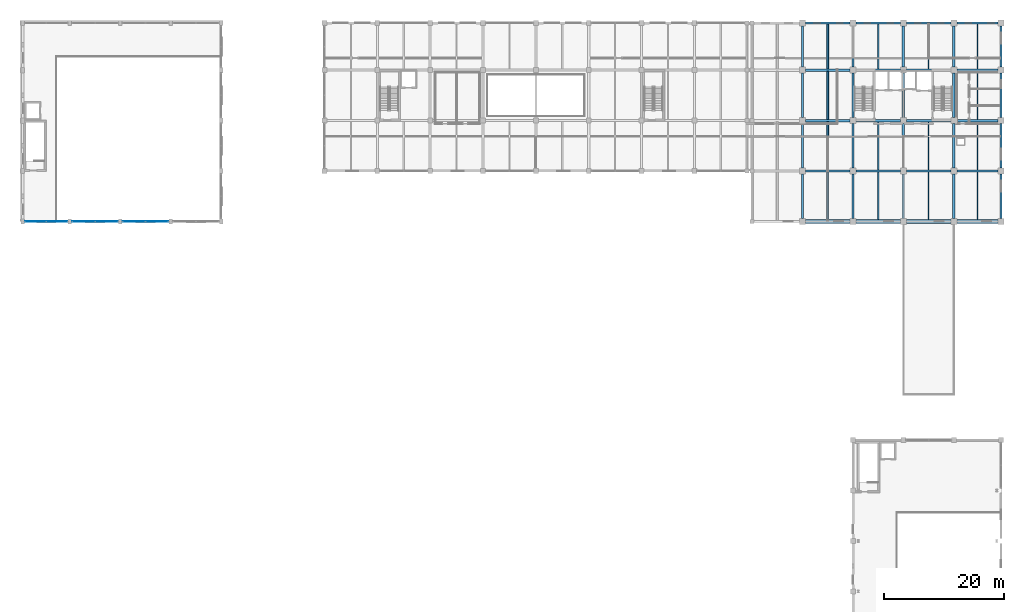
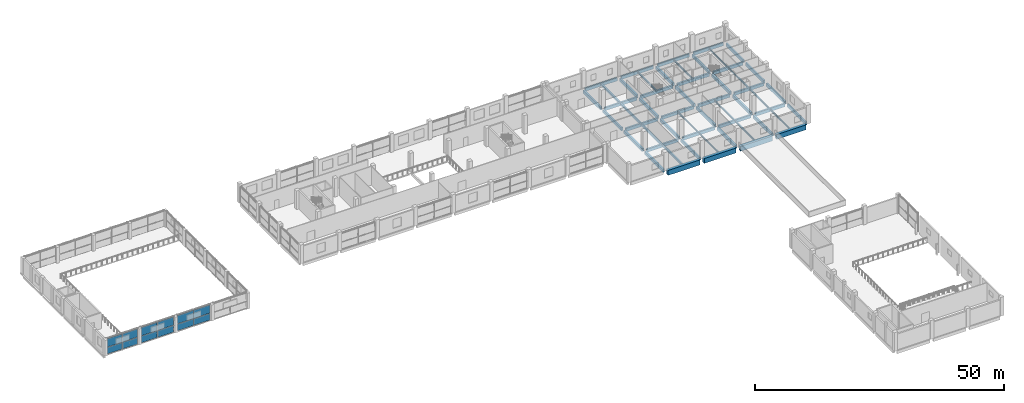
# One storey, part 17 of 31: 54 beams, 12 plates, 3 elements without a shape of their own.
"""IFC4 building model written with IfcOpenShell, lengths in metres."""

from ifc_helpers import new_model, si_unit, direction, frame, origin, origin_2d, place, context, subcontext, project, spatial, rectangle, i_section, extrude, material, layer, layer_set, material_profile, profile_set, type_object, element, aggregate, save


model = new_model("IFC4")

# Units and contexts
model_context = context("Model", 3, precision=1e-05, world=origin(), true_north=direction((0.0, 1.0)))
body_context = subcontext(model_context, "Body", "Model", "MODEL_VIEW")
ifc_project = project(units=[si_unit("LENGTHUNIT", "METRE"), si_unit("AREAUNIT", "SQUARE_METRE"), si_unit("VOLUMEUNIT", "CUBIC_METRE"), si_unit("PLANEANGLEUNIT", "RADIAN"), si_unit("MASSUNIT", "GRAM", prefix="KILO")], contexts=[model_context])

# Site, building, storey
site_placement = place(None, origin())
site = spatial("IfcSite", under=ifc_project, at=site_placement, CompositionType="ELEMENT")
building_placement = place(site_placement, origin())
building = spatial("IfcBuilding", under=site, at=building_placement, Name="Brinegate Botanical Conservatory", CompositionType="ELEMENT")
storey_placement = place(building_placement, frame((0.0, 0.0, 5.39990234375)))
storey = spatial("IfcBuildingStorey", under=building, at=storey_placement, Name="L02", CompositionType="ELEMENT", Elevation=5.39990234375)

# Beams
ifc_material_1 = material(Name="Concrete C50/60", Category="concrete")
ifc_material_profile_1 = material_profile(ifc_material_1, rectangle(XDim=0.39990234375, YDim=0.75, at=origin_2d()), Name="RC BM 400x750")
ifc_profile_set_1 = profile_set([ifc_material_profile_1], Name="Concrete C50/60")
beam_type_1 = type_object("IfcBeamType", Name="Beam_BM-T1", PredefinedType="BEAM", material=ifc_profile_set_1)
beam_1_placement = place(storey_placement, frame((130.89990234375, 86.800048828125, -0.594970703125), z_axis=(1.0, 0.0, 0.0), x_axis=(0.0, 1.0, 0.0)))
element("IfcBeam", 1, at=beam_1_placement, inside=storey, type_object=beam_type_1, Name="Beam BM-T1 L02 L:17-18", PredefinedType="BEAM", context=body_context, shape_type="SweptSolid", body=[
    extrude(rectangle(XDim=0.39990234375, YDim=0.75, at=origin_2d()), origin(), (0.0, 0.0, 1.0), 7.400146484375),
])
beam_2_placement = place(storey_placement, frame((139.300048828125, 86.800048828125, -0.594970703125), z_axis=(1.0, 0.0, 0.0), x_axis=(0.0, 1.0, 0.0)))
element("IfcBeam", 2, at=beam_2_placement, inside=storey, type_object=beam_type_1, Name="Beam BM-T1 L02 L:18-19", PredefinedType="BEAM", context=body_context, shape_type="SweptSolid", body=[
    extrude(rectangle(XDim=0.39990234375, YDim=0.75, at=origin_2d()), origin(), (0.0, 0.0, 1.0), 7.39990234375),
])
beam_3_placement = place(storey_placement, frame((147.699951171875, 86.800048828125, -0.594970703125), z_axis=(1.0, 0.0, 0.0), x_axis=(0.0, 1.0, 0.0)))
element("IfcBeam", 3, at=beam_3_placement, inside=storey, type_object=beam_type_1, Name="Beam BM-T1 L02 L:19-20", PredefinedType="BEAM", context=body_context, shape_type="SweptSolid", body=[
    extrude(rectangle(XDim=0.39990234375, YDim=0.75, at=origin_2d()), origin(), (0.0, 0.0, 1.0), 7.400146484375),
])
beam_4_placement = place(storey_placement, frame((156.10009765625, 86.800048828125, -0.594970703125), z_axis=(1.0, 0.0, 0.0), x_axis=(0.0, 1.0, 0.0)))
element("IfcBeam", 4, at=beam_4_placement, inside=storey, type_object=beam_type_1, Name="Beam BM-T1 L02 L:20-21", PredefinedType="BEAM", context=body_context, shape_type="SweptSolid", body=[
    extrude(rectangle(XDim=0.39990234375, YDim=0.75, at=origin_2d()), origin(), (0.0, 0.0, 1.0), 6.849853515625),
])
beam_5_placement = place(storey_placement, frame((130.89990234375, 95.199951171875, -0.594970703125), z_axis=(1.0, 0.0, 0.0), x_axis=(0.0, 1.0, 0.0)))
element("IfcBeam", 5, at=beam_5_placement, inside=storey, type_object=beam_type_1, Name="Beam BM-T1 L02 M:17-18", PredefinedType="BEAM", context=body_context, shape_type="SweptSolid", body=[
    extrude(rectangle(XDim=0.39990234375, YDim=0.75, at=origin_2d()), origin(), (0.0, 0.0, 1.0), 7.400146484375),
])
beam_6_placement = place(storey_placement, frame((139.300048828125, 95.199951171875, -0.594970703125), z_axis=(1.0, 0.0, 0.0), x_axis=(0.0, 1.0, 0.0)))
element("IfcBeam", 6, at=beam_6_placement, inside=storey, type_object=beam_type_1, Name="Beam BM-T1 L02 M:18-19", PredefinedType="BEAM", context=body_context, shape_type="SweptSolid", body=[
    extrude(rectangle(XDim=0.39990234375, YDim=0.75, at=origin_2d()), origin(), (0.0, 0.0, 1.0), 7.39990234375),
])
beam_7_placement = place(storey_placement, frame((147.699951171875, 95.199951171875, -0.594970703125), z_axis=(1.0, 0.0, 0.0), x_axis=(0.0, 1.0, 0.0)))
element("IfcBeam", 7, at=beam_7_placement, inside=storey, type_object=beam_type_1, Name="Beam BM-T1 L02 M:19-20", PredefinedType="BEAM", context=body_context, shape_type="SweptSolid", body=[
    extrude(rectangle(XDim=0.39990234375, YDim=0.75, at=origin_2d()), origin(), (0.0, 0.0, 1.0), 7.400146484375),
])
beam_8_placement = place(storey_placement, frame((156.10009765625, 95.199951171875, -0.594970703125), z_axis=(1.0, 0.0, 0.0), x_axis=(0.0, 1.0, 0.0)))
element("IfcBeam", 8, at=beam_8_placement, inside=storey, type_object=beam_type_1, Name="Beam BM-T1 L02 M:20-21", PredefinedType="BEAM", context=body_context, shape_type="SweptSolid", body=[
    extrude(rectangle(XDim=0.39990234375, YDim=0.75, at=origin_2d()), origin(), (0.0, 0.0, 1.0), 6.849853515625),
])
beam_9_placement = place(storey_placement, frame((130.89990234375, 103.60009765625, -0.594970703125), z_axis=(1.0, 0.0, 0.0), x_axis=(0.0, 1.0, 0.0)))
element("IfcBeam", 9, at=beam_9_placement, inside=storey, type_object=beam_type_1, Name="Beam BM-T1 L02 N:17-18", PredefinedType="BEAM", context=body_context, shape_type="SweptSolid", body=[
    extrude(rectangle(XDim=0.39990234375, YDim=0.75, at=origin_2d()), origin(), (0.0, 0.0, 1.0), 7.400146484375),
])
beam_10_placement = place(storey_placement, frame((139.300048828125, 103.60009765625, -0.594970703125), z_axis=(1.0, 0.0, 0.0), x_axis=(0.0, 1.0, 0.0)))
element("IfcBeam", 10, at=beam_10_placement, inside=storey, type_object=beam_type_1, Name="Beam BM-T1 L02 N:18-19", PredefinedType="BEAM", context=body_context, shape_type="SweptSolid", body=[
    extrude(rectangle(XDim=0.39990234375, YDim=0.75, at=origin_2d()), origin(), (0.0, 0.0, 1.0), 7.39990234375),
])
beam_11_placement = place(storey_placement, frame((147.699951171875, 103.60009765625, -0.594970703125), z_axis=(1.0, 0.0, 0.0), x_axis=(0.0, 1.0, 0.0)))
element("IfcBeam", 11, at=beam_11_placement, inside=storey, type_object=beam_type_1, Name="Beam BM-T1 L02 N:19-20", PredefinedType="BEAM", context=body_context, shape_type="SweptSolid", body=[
    extrude(rectangle(XDim=0.39990234375, YDim=0.75, at=origin_2d()), origin(), (0.0, 0.0, 1.0), 7.400146484375),
])
beam_12_placement = place(storey_placement, frame((156.10009765625, 103.60009765625, -0.594970703125), z_axis=(1.0, 0.0, 0.0), x_axis=(0.0, 1.0, 0.0)))
element("IfcBeam", 12, at=beam_12_placement, inside=storey, type_object=beam_type_1, Name="Beam BM-T1 L02 N:20-21", PredefinedType="BEAM", context=body_context, shape_type="SweptSolid", body=[
    extrude(rectangle(XDim=0.39990234375, YDim=0.75, at=origin_2d()), origin(), (0.0, 0.0, 1.0), 6.849853515625),
])
beam_13_placement = place(storey_placement, frame((130.39990234375, 78.89990234375, -0.594970703125), z_axis=(0.0, 1.0, 0.0), x_axis=(-1.0, 0.0, 0.0)))
element("IfcBeam", 13, at=beam_13_placement, inside=storey, type_object=beam_type_1, Name="Beam BM-T1 L02 17:K-L", PredefinedType="BEAM", context=body_context, shape_type="SweptSolid", body=[
    extrude(rectangle(XDim=0.39990234375, YDim=0.75, at=origin_2d()), origin(), (0.0, 0.0, 1.0), 7.400146484375),
])
beam_14_placement = place(storey_placement, frame((130.39990234375, 87.300048828125, -0.594970703125), z_axis=(0.0, 1.0, 0.0), x_axis=(-1.0, 0.0, 0.0)))
element("IfcBeam", 14, at=beam_14_placement, inside=storey, type_object=beam_type_1, Name="Beam BM-T1 L02 17:L-M", PredefinedType="BEAM", context=body_context, shape_type="SweptSolid", body=[
    extrude(rectangle(XDim=0.39990234375, YDim=0.75, at=origin_2d()), origin(), (0.0, 0.0, 1.0), 7.39990234375),
])
beam_15_placement = place(storey_placement, frame((130.39990234375, 95.699951171875, -0.594970703125), z_axis=(0.0, 1.0, 0.0), x_axis=(-1.0, 0.0, 0.0)))
element("IfcBeam", 15, at=beam_15_placement, inside=storey, type_object=beam_type_1, Name="Beam BM-T1 L02 17:M-N", PredefinedType="BEAM", context=body_context, shape_type="SweptSolid", body=[
    extrude(rectangle(XDim=0.39990234375, YDim=0.75, at=origin_2d()), origin(), (0.0, 0.0, 1.0), 7.400146484375),
])
beam_16_placement = place(storey_placement, frame((130.39990234375, 104.10009765625, -0.594970703125), z_axis=(0.0, 1.0, 0.0), x_axis=(-1.0, 0.0, 0.0)))
element("IfcBeam", 16, at=beam_16_placement, inside=storey, type_object=beam_type_1, Name="Beam BM-T1 L02 17:N-P", PredefinedType="BEAM", context=body_context, shape_type="SweptSolid", body=[
    extrude(rectangle(XDim=0.39990234375, YDim=0.75, at=origin_2d()), origin(), (0.0, 0.0, 1.0), 6.849853515625),
])
beam_17_placement = place(storey_placement, frame((138.800048828125, 78.89990234375, -0.594970703125), z_axis=(0.0, 1.0, 0.0), x_axis=(-1.0, 0.0, 0.0)))
element("IfcBeam", 17, at=beam_17_placement, inside=storey, type_object=beam_type_1, Name="Beam BM-T1 L02 18:K-L", PredefinedType="BEAM", context=body_context, shape_type="SweptSolid", body=[
    extrude(rectangle(XDim=0.39990234375, YDim=0.75, at=origin_2d()), origin(), (0.0, 0.0, 1.0), 7.400146484375),
])
beam_18_placement = place(storey_placement, frame((138.800048828125, 87.300048828125, -0.594970703125), z_axis=(0.0, 1.0, 0.0), x_axis=(-1.0, 0.0, 0.0)))
element("IfcBeam", 18, at=beam_18_placement, inside=storey, type_object=beam_type_1, Name="Beam BM-T1 L02 18:L-M", PredefinedType="BEAM", context=body_context, shape_type="SweptSolid", body=[
    extrude(rectangle(XDim=0.39990234375, YDim=0.75, at=origin_2d()), origin(), (0.0, 0.0, 1.0), 7.39990234375),
])
beam_19_placement = place(storey_placement, frame((138.800048828125, 95.699951171875, -0.594970703125), z_axis=(0.0, 1.0, 0.0), x_axis=(-1.0, 0.0, 0.0)))
element("IfcBeam", 19, at=beam_19_placement, inside=storey, type_object=beam_type_1, Name="Beam BM-T1 L02 18:M-N", PredefinedType="BEAM", context=body_context, shape_type="SweptSolid", body=[
    extrude(rectangle(XDim=0.39990234375, YDim=0.75, at=origin_2d()), origin(), (0.0, 0.0, 1.0), 7.400146484375),
])
beam_20_placement = place(storey_placement, frame((138.800048828125, 104.10009765625, -0.594970703125), z_axis=(0.0, 1.0, 0.0), x_axis=(-1.0, 0.0, 0.0)))
element("IfcBeam", 20, at=beam_20_placement, inside=storey, type_object=beam_type_1, Name="Beam BM-T1 L02 18:N-P", PredefinedType="BEAM", context=body_context, shape_type="SweptSolid", body=[
    extrude(rectangle(XDim=0.39990234375, YDim=0.75, at=origin_2d()), origin(), (0.0, 0.0, 1.0), 6.849853515625),
])
beam_21_placement = place(storey_placement, frame((147.199951171875, 78.89990234375, -0.594970703125), z_axis=(0.0, 1.0, 0.0), x_axis=(-1.0, 0.0, 0.0)))
element("IfcBeam", 21, at=beam_21_placement, inside=storey, type_object=beam_type_1, Name="Beam BM-T1 L02 19:K-L", PredefinedType="BEAM", context=body_context, shape_type="SweptSolid", body=[
    extrude(rectangle(XDim=0.39990234375, YDim=0.75, at=origin_2d()), origin(), (0.0, 0.0, 1.0), 7.400146484375),
])
beam_22_placement = place(storey_placement, frame((147.199951171875, 87.300048828125, -0.594970703125), z_axis=(0.0, 1.0, 0.0), x_axis=(-1.0, 0.0, 0.0)))
element("IfcBeam", 22, at=beam_22_placement, inside=storey, type_object=beam_type_1, Name="Beam BM-T1 L02 19:L-M", PredefinedType="BEAM", context=body_context, shape_type="SweptSolid", body=[
    extrude(rectangle(XDim=0.39990234375, YDim=0.75, at=origin_2d()), origin(), (0.0, 0.0, 1.0), 7.39990234375),
])
beam_23_placement = place(storey_placement, frame((147.199951171875, 95.699951171875, -0.594970703125), z_axis=(0.0, 1.0, 0.0), x_axis=(-1.0, 0.0, 0.0)))
element("IfcBeam", 23, at=beam_23_placement, inside=storey, type_object=beam_type_1, Name="Beam BM-T1 L02 19:M-N", PredefinedType="BEAM", context=body_context, shape_type="SweptSolid", body=[
    extrude(rectangle(XDim=0.39990234375, YDim=0.75, at=origin_2d()), origin(), (0.0, 0.0, 1.0), 7.400146484375),
])
beam_24_placement = place(storey_placement, frame((147.199951171875, 104.10009765625, -0.594970703125), z_axis=(0.0, 1.0, 0.0), x_axis=(-1.0, 0.0, 0.0)))
element("IfcBeam", 24, at=beam_24_placement, inside=storey, type_object=beam_type_1, Name="Beam BM-T1 L02 19:N-P", PredefinedType="BEAM", context=body_context, shape_type="SweptSolid", body=[
    extrude(rectangle(XDim=0.39990234375, YDim=0.75, at=origin_2d()), origin(), (0.0, 0.0, 1.0), 6.849853515625),
])
beam_25_placement = place(storey_placement, frame((155.60009765625, 78.89990234375, -0.594970703125), z_axis=(0.0, 1.0, 0.0), x_axis=(-1.0, 0.0, 0.0)))
element("IfcBeam", 25, at=beam_25_placement, inside=storey, type_object=beam_type_1, Name="Beam BM-T1 L02 20:K-L", PredefinedType="BEAM", context=body_context, shape_type="SweptSolid", body=[
    extrude(rectangle(XDim=0.39990234375, YDim=0.75, at=origin_2d()), origin(), (0.0, 0.0, 1.0), 7.400146484375),
])
beam_26_placement = place(storey_placement, frame((155.60009765625, 87.300048828125, -0.594970703125), z_axis=(0.0, 1.0, 0.0), x_axis=(-1.0, 0.0, 0.0)))
element("IfcBeam", 26, at=beam_26_placement, inside=storey, type_object=beam_type_1, Name="Beam BM-T1 L02 20:L-M", PredefinedType="BEAM", context=body_context, shape_type="SweptSolid", body=[
    extrude(rectangle(XDim=0.39990234375, YDim=0.75, at=origin_2d()), origin(), (0.0, 0.0, 1.0), 7.39990234375),
])
beam_27_placement = place(storey_placement, frame((155.60009765625, 95.699951171875, -0.594970703125), z_axis=(0.0, 1.0, 0.0), x_axis=(-1.0, 0.0, 0.0)))
element("IfcBeam", 27, at=beam_27_placement, inside=storey, type_object=beam_type_1, Name="Beam BM-T1 L02 20:M-N", PredefinedType="BEAM", context=body_context, shape_type="SweptSolid", body=[
    extrude(rectangle(XDim=0.39990234375, YDim=0.75, at=origin_2d()), origin(), (0.0, 0.0, 1.0), 7.400146484375),
])
beam_28_placement = place(storey_placement, frame((155.60009765625, 104.10009765625, -0.594970703125), z_axis=(0.0, 1.0, 0.0), x_axis=(-1.0, 0.0, 0.0)))
element("IfcBeam", 28, at=beam_28_placement, inside=storey, type_object=beam_type_1, Name="Beam BM-T1 L02 20:N-P", PredefinedType="BEAM", context=body_context, shape_type="SweptSolid", body=[
    extrude(rectangle(XDim=0.39990234375, YDim=0.75, at=origin_2d()), origin(), (0.0, 0.0, 1.0), 6.849853515625),
])
ifc_material_2 = material(Name="Concrete C40/50", Category="concrete")
ifc_material_profile_2 = material_profile(ifc_material_2, rectangle(XDim=0.300048828125, YDim=0.550048828125, at=origin_2d()), Name="RC JST 300x550")
ifc_profile_set_2 = profile_set([ifc_material_profile_2], Name="Concrete C40/50")
beam_type_2 = type_object("IfcBeamType", Name="Beam_JS-C1", PredefinedType="JOIST", material=ifc_profile_set_2)
beam_29_placement = place(storey_placement, frame((134.60009765625, 78.75, -0.494873046875), z_axis=(0.0, 1.0, 0.0), x_axis=(-1.0, 0.0, 0.0)))
element("IfcBeam", 29, at=beam_29_placement, inside=storey, type_object=beam_type_2, Name="Floor joist JS-C1 L02 bay 17.10", PredefinedType="JOIST", context=body_context, shape_type="SweptSolid", body=[
    extrude(rectangle(XDim=0.300048828125, YDim=0.550048828125, at=origin_2d()), origin(), (0.0, 0.0, 1.0), 7.85009765625),
])
for number, where, z_axis, x_axis, name in (
    (30, (134.60009765625, 87.0, -0.494873046875), (0.0, 1.0, 0.0), (-1.0, 0.0, 0.0), "Floor joist JS-C1 L02 bay 17.11"),
    (31, (134.60009765625, 95.39990234375, -0.494873046875), (0.0, 1.0, 0.0), (-1.0, 0.0, 0.0), "Floor joist JS-C1 L02 bay 17.12"),
):
    element("IfcBeam", number, at=place(storey_placement, frame(where, z_axis=z_axis, x_axis=x_axis)), inside=storey, type_object=beam_type_2, Name=name, PredefinedType="JOIST", context=body_context, shape_type="SweptSolid", body=[
        extrude(rectangle(XDim=0.300048828125, YDim=0.550048828125, at=origin_2d()), origin(), (0.0, 0.0, 1.0), 8.0),
    ])
beam_30_placement = place(storey_placement, frame((134.60009765625, 103.800048828125, -0.494873046875), z_axis=(0.0, 1.0, 0.0), x_axis=(-1.0, 0.0, 0.0)))
element("IfcBeam", 32, at=beam_30_placement, inside=storey, type_object=beam_type_2, Name="Floor joist JS-C1 L02 bay 17.13", PredefinedType="JOIST", context=body_context, shape_type="SweptSolid", body=[
    extrude(rectangle(XDim=0.300048828125, YDim=0.550048828125, at=origin_2d()), origin(), (0.0, 0.0, 1.0), 7.474853515625),
])
ifc_material_3 = material(Name="Structural steel Q355B / S355", Category="steel")
ifc_material_profile_3 = material_profile(ifc_material_3, i_section(OverallWidth=0.199951171875, OverallDepth=0.39990234375, WebThickness=0.008056640625, FlangeThickness=0.012939453125, at=origin_2d()), Name="HN 400x200x8x13")
ifc_profile_set_3 = profile_set([ifc_material_profile_3], Name="Structural steel Q355B / S355")
beam_type_3 = type_object("IfcBeamType", Name="Beam_JS-S2", PredefinedType="JOIST", material=ifc_profile_set_3)
beam_31_placement = place(storey_placement, frame((143.0, 78.75, -0.419921875), z_axis=(0.0, 1.0, 0.0), x_axis=(-1.0, 0.0, 0.0)))
element("IfcBeam", 33, at=beam_31_placement, inside=storey, type_object=beam_type_3, Name="Floor joist JS-S2 L02 bay 18.10", PredefinedType="JOIST", context=body_context, shape_type="SweptSolid", body=[
    extrude(i_section(OverallWidth=0.199951171875, OverallDepth=0.39990234375, WebThickness=0.008056640625, FlangeThickness=0.012939453125, at=origin_2d()), origin(), (0.0, 0.0, 1.0), 7.85009765625),
])
beam_32_placement = place(storey_placement, frame((143.0, 87.0, -0.419921875), z_axis=(0.0, 1.0, 0.0), x_axis=(-1.0, 0.0, 0.0)))
element("IfcBeam", 34, at=beam_32_placement, inside=storey, type_object=beam_type_3, Name="Floor joist JS-S2 L02 bay 18.11", PredefinedType="JOIST", context=body_context, shape_type="SweptSolid", body=[
    extrude(i_section(OverallWidth=0.199951171875, OverallDepth=0.39990234375, WebThickness=0.008056640625, FlangeThickness=0.012939453125, at=origin_2d()), origin(), (0.0, 0.0, 1.0), 8.0),
])
beam_33_placement = place(storey_placement, frame((143.0, 103.800048828125, -0.419921875), z_axis=(0.0, 1.0, 0.0), x_axis=(-1.0, 0.0, 0.0)))
element("IfcBeam", 35, at=beam_33_placement, inside=storey, type_object=beam_type_3, Name="Floor joist JS-S2 L02 bay 18.13", PredefinedType="JOIST", context=body_context, shape_type="SweptSolid", body=[
    extrude(i_section(OverallWidth=0.199951171875, OverallDepth=0.39990234375, WebThickness=0.008056640625, FlangeThickness=0.012939453125, at=origin_2d()), origin(), (0.0, 0.0, 1.0), 7.474853515625),
])
beam_34_placement = place(storey_placement, frame((151.39990234375, 78.75, -0.419921875), z_axis=(0.0, 1.0, 0.0), x_axis=(-1.0, 0.0, 0.0)))
element("IfcBeam", 36, at=beam_34_placement, inside=storey, type_object=beam_type_3, Name="Floor joist JS-S2 L02 bay 19.10", PredefinedType="JOIST", context=body_context, shape_type="SweptSolid", body=[
    extrude(i_section(OverallWidth=0.199951171875, OverallDepth=0.39990234375, WebThickness=0.008056640625, FlangeThickness=0.012939453125, at=origin_2d()), origin(), (0.0, 0.0, 1.0), 7.85009765625),
])
beam_35_placement = place(storey_placement, frame((151.39990234375, 87.0, -0.419921875), z_axis=(0.0, 1.0, 0.0), x_axis=(-1.0, 0.0, 0.0)))
element("IfcBeam", 37, at=beam_35_placement, inside=storey, type_object=beam_type_3, Name="Floor joist JS-S2 L02 bay 19.11", PredefinedType="JOIST", context=body_context, shape_type="SweptSolid", body=[
    extrude(i_section(OverallWidth=0.199951171875, OverallDepth=0.39990234375, WebThickness=0.008056640625, FlangeThickness=0.012939453125, at=origin_2d()), origin(), (0.0, 0.0, 1.0), 8.0),
])
beam_36_placement = place(storey_placement, frame((151.39990234375, 103.800048828125, -0.419921875), z_axis=(0.0, 1.0, 0.0), x_axis=(-1.0, 0.0, 0.0)))
element("IfcBeam", 38, at=beam_36_placement, inside=storey, type_object=beam_type_3, Name="Floor joist JS-S2 L02 bay 19.13", PredefinedType="JOIST", context=body_context, shape_type="SweptSolid", body=[
    extrude(i_section(OverallWidth=0.199951171875, OverallDepth=0.39990234375, WebThickness=0.008056640625, FlangeThickness=0.012939453125, at=origin_2d()), origin(), (0.0, 0.0, 1.0), 7.474853515625),
])
beam_37_placement = place(storey_placement, frame((159.52490234375, 78.75, -0.419921875), z_axis=(0.0, 1.0, 0.0), x_axis=(-1.0, 0.0, 0.0)))
element("IfcBeam", 39, at=beam_37_placement, inside=storey, type_object=beam_type_3, Name="Floor joist JS-S2 L02 bay 20.10", PredefinedType="JOIST", context=body_context, shape_type="SweptSolid", body=[
    extrude(i_section(OverallWidth=0.199951171875, OverallDepth=0.39990234375, WebThickness=0.008056640625, FlangeThickness=0.012939453125, at=origin_2d()), origin(), (0.0, 0.0, 1.0), 7.85009765625),
])
for number, where, z_axis, x_axis, name in (
    (40, (159.52490234375, 87.0, -0.419921875), (0.0, 1.0, 0.0), (-1.0, 0.0, 0.0), "Floor joist JS-S2 L02 bay 20.11"),
    (41, (159.52490234375, 95.39990234375, -0.419921875), (0.0, 1.0, 0.0), (-1.0, 0.0, 0.0), "Floor joist JS-S2 L02 bay 20.12"),
):
    element("IfcBeam", number, at=place(storey_placement, frame(where, z_axis=z_axis, x_axis=x_axis)), inside=storey, type_object=beam_type_3, Name=name, PredefinedType="JOIST", context=body_context, shape_type="SweptSolid", body=[
        extrude(i_section(OverallWidth=0.199951171875, OverallDepth=0.39990234375, WebThickness=0.008056640625, FlangeThickness=0.012939453125, at=origin_2d()), origin(), (0.0, 0.0, 1.0), 8.0),
    ])
beam_38_placement = place(storey_placement, frame((159.52490234375, 103.800048828125, -0.419921875), z_axis=(0.0, 1.0, 0.0), x_axis=(-1.0, 0.0, 0.0)))
element("IfcBeam", 42, at=beam_38_placement, inside=storey, type_object=beam_type_3, Name="Floor joist JS-S2 L02 bay 20.13", PredefinedType="JOIST", context=body_context, shape_type="SweptSolid", body=[
    extrude(i_section(OverallWidth=0.199951171875, OverallDepth=0.39990234375, WebThickness=0.008056640625, FlangeThickness=0.012939453125, at=origin_2d()), origin(), (0.0, 0.0, 1.0), 7.474853515625),
])
ifc_material_profile_4 = material_profile(ifc_material_2, rectangle(XDim=0.35009765625, YDim=0.75, at=origin_2d()), Name="RC SPN 350x750")
ifc_profile_set_4 = profile_set([ifc_material_profile_4], Name="Concrete C40/50")
beam_type_4 = type_object("IfcBeamType", Name="Beam_SP-01", PredefinedType="SPANDREL", material=ifc_profile_set_4)
beam_39_placement = place(storey_placement, frame((130.89990234375, 111.449951171875, -0.594970703125), z_axis=(1.0, 0.0, 0.0), x_axis=(0.0, 1.0, 0.0)))
element("IfcBeam", 43, at=beam_39_placement, inside=storey, type_object=beam_type_4, Name="Beam SP-01 L02 P:17-18", PredefinedType="SPANDREL", context=body_context, shape_type="SweptSolid", body=[
    extrude(rectangle(XDim=0.35009765625, YDim=0.75, at=origin_2d()), origin(), (0.0, 0.0, 1.0), 7.400146484375),
])
beam_40_placement = place(storey_placement, frame((139.300048828125, 111.449951171875, -0.594970703125), z_axis=(1.0, 0.0, 0.0), x_axis=(0.0, 1.0, 0.0)))
element("IfcBeam", 44, at=beam_40_placement, inside=storey, type_object=beam_type_4, Name="Beam SP-01 L02 P:18-19", PredefinedType="SPANDREL", context=body_context, shape_type="SweptSolid", body=[
    extrude(rectangle(XDim=0.35009765625, YDim=0.75, at=origin_2d()), origin(), (0.0, 0.0, 1.0), 7.39990234375),
])
beam_41_placement = place(storey_placement, frame((147.699951171875, 111.449951171875, -0.594970703125), z_axis=(1.0, 0.0, 0.0), x_axis=(0.0, 1.0, 0.0)))
element("IfcBeam", 45, at=beam_41_placement, inside=storey, type_object=beam_type_4, Name="Beam SP-01 L02 P:19-20", PredefinedType="SPANDREL", context=body_context, shape_type="SweptSolid", body=[
    extrude(rectangle(XDim=0.35009765625, YDim=0.75, at=origin_2d()), origin(), (0.0, 0.0, 1.0), 7.400146484375),
])
beam_42_placement = place(storey_placement, frame((156.10009765625, 111.449951171875, -0.594970703125), z_axis=(1.0, 0.0, 0.0), x_axis=(0.0, 1.0, 0.0)))
element("IfcBeam", 46, at=beam_42_placement, inside=storey, type_object=beam_type_4, Name="Beam SP-01 L02 P:20-21", PredefinedType="SPANDREL", context=body_context, shape_type="SweptSolid", body=[
    extrude(rectangle(XDim=0.35009765625, YDim=0.75, at=origin_2d()), origin(), (0.0, 0.0, 1.0), 6.849853515625),
])
beam_43_placement = place(storey_placement, frame((163.449951171875, 78.89990234375, -0.594970703125), z_axis=(0.0, 1.0, 0.0), x_axis=(-1.0, 0.0, 0.0)))
element("IfcBeam", 47, at=beam_43_placement, inside=storey, type_object=beam_type_4, Name="Beam SP-01 L02 21:K-L", PredefinedType="SPANDREL", context=body_context, shape_type="SweptSolid", body=[
    extrude(rectangle(XDim=0.35009765625, YDim=0.75, at=origin_2d()), origin(), (0.0, 0.0, 1.0), 7.400146484375),
])
beam_44_placement = place(storey_placement, frame((163.449951171875, 87.300048828125, -0.594970703125), z_axis=(0.0, 1.0, 0.0), x_axis=(-1.0, 0.0, 0.0)))
element("IfcBeam", 48, at=beam_44_placement, inside=storey, type_object=beam_type_4, Name="Beam SP-01 L02 21:L-M", PredefinedType="SPANDREL", context=body_context, shape_type="SweptSolid", body=[
    extrude(rectangle(XDim=0.35009765625, YDim=0.75, at=origin_2d()), origin(), (0.0, 0.0, 1.0), 7.39990234375),
])
beam_45_placement = place(storey_placement, frame((163.449951171875, 95.699951171875, -0.594970703125), z_axis=(0.0, 1.0, 0.0), x_axis=(-1.0, 0.0, 0.0)))
element("IfcBeam", 49, at=beam_45_placement, inside=storey, type_object=beam_type_4, Name="Beam SP-01 L02 21:M-N", PredefinedType="SPANDREL", context=body_context, shape_type="SweptSolid", body=[
    extrude(rectangle(XDim=0.35009765625, YDim=0.75, at=origin_2d()), origin(), (0.0, 0.0, 1.0), 7.400146484375),
])
beam_46_placement = place(storey_placement, frame((163.449951171875, 104.10009765625, -0.594970703125), z_axis=(0.0, 1.0, 0.0), x_axis=(-1.0, 0.0, 0.0)))
element("IfcBeam", 50, at=beam_46_placement, inside=storey, type_object=beam_type_4, Name="Beam SP-01 L02 21:N-P", PredefinedType="SPANDREL", context=body_context, shape_type="SweptSolid", body=[
    extrude(rectangle(XDim=0.35009765625, YDim=0.75, at=origin_2d()), origin(), (0.0, 0.0, 1.0), 6.849853515625),
])
ifc_material_profile_5 = material_profile(ifc_material_1, rectangle(XDim=0.699951171875, YDim=1.199951171875, at=origin_2d()), Name="RC TG 700x1200")
ifc_profile_set_5 = profile_set([ifc_material_profile_5], Name="Concrete C50/60")
beam_type_5 = type_object("IfcBeamType", Name="Beam_TG-01", PredefinedType="BEAM", material=ifc_profile_set_5)
beam_47_placement = place(storey_placement, frame((130.89990234375, 78.39990234375, -0.81982421875), z_axis=(1.0, 0.0, 0.0), x_axis=(0.0, 1.0, 0.0)))
element("IfcBeam", 51, at=beam_47_placement, inside=storey, type_object=beam_type_5, Name="Transfer girder TG-01 L02 K:17-18", PredefinedType="BEAM", context=body_context, shape_type="SweptSolid", body=[
    extrude(rectangle(XDim=0.699951171875, YDim=1.199951171875, at=origin_2d()), origin(), (0.0, 0.0, 1.0), 7.400146484375),
])
beam_48_placement = place(storey_placement, frame((139.300048828125, 78.39990234375, -0.81982421875), z_axis=(1.0, 0.0, 0.0), x_axis=(0.0, 1.0, 0.0)))
element("IfcBeam", 52, at=beam_48_placement, inside=storey, type_object=beam_type_5, Name="Transfer girder TG-01 L02 K:18-19", PredefinedType="BEAM", context=body_context, shape_type="SweptSolid", body=[
    extrude(rectangle(XDim=0.699951171875, YDim=1.199951171875, at=origin_2d()), origin(), (0.0, 0.0, 1.0), 7.39990234375),
])
beam_49_placement = place(storey_placement, frame((147.699951171875, 78.39990234375, -0.81982421875), z_axis=(1.0, 0.0, 0.0), x_axis=(0.0, 1.0, 0.0)))
element("IfcBeam", 53, at=beam_49_placement, inside=storey, type_object=beam_type_5, Name="Transfer girder TG-01 L02 K:19-20", PredefinedType="BEAM", context=body_context, shape_type="SweptSolid", body=[
    extrude(rectangle(XDim=0.699951171875, YDim=1.199951171875, at=origin_2d()), origin(), (0.0, 0.0, 1.0), 7.400146484375),
])
beam_50_placement = place(storey_placement, frame((156.10009765625, 78.39990234375, -0.81982421875), z_axis=(1.0, 0.0, 0.0), x_axis=(0.0, 1.0, 0.0)))
element("IfcBeam", 54, at=beam_50_placement, inside=storey, type_object=beam_type_5, Name="Transfer girder TG-01 L02 K:20-21", PredefinedType="BEAM", context=body_context, shape_type="SweptSolid", body=[
    extrude(rectangle(XDim=0.699951171875, YDim=1.199951171875, at=origin_2d()), origin(), (0.0, 0.0, 1.0), 6.849853515625),
])

# Curtain wall, plates
ifc_material_4 = material(Name="Thermally broken anodised aluminium AW-6063-T6", Category="aluminium")
curtain_wall_type = type_object("IfcCurtainWallType", Name="CW_CW-V1", PredefinedType="USERDEFINED", material=ifc_material_4)
curtain_wall_1_placement = place(storey_placement, origin())
curtain_wall_1 = element("IfcCurtainWall", 55, at=curtain_wall_1_placement, inside=storey, type_object=curtain_wall_type, Name="Conservatory south curtain wall L02.1", ObjectType="FACTORY CURTAIN WALL", PredefinedType="USERDEFINED")
ifc_material_5 = material(Name="Double-silver Low-E laminated safety glass", Category="glass")
ifc_layer = layer(ifc_material_5, 0.031982421875, Name="Double-silver Low-E laminated safety glass", Category="glass")
ifc_layer_set = layer_set([ifc_layer], Name="Double-silver Low-E laminated safety glass")
plate_type = type_object("IfcPlateType", Name="Plate_PN-32", PredefinedType="CURTAIN_PANEL", material=ifc_layer_set)
plate_1_placement = place(storey_placement, frame((6.251220703125, 78.39990234375, 0.06494140625), z_axis=(0.0, 0.0, 1.0), x_axis=(-1.0, 0.0, 0.0)))
plate_1 = element("IfcPlate", 56, at=plate_1_placement, type_object=plate_type, Name="CW-V1 panel 1.1", PredefinedType="CURTAIN_PANEL", context=body_context, shape_type="SweptSolid", body=[
    extrude(rectangle(XDim=3.487548828125, YDim=0.031982421875, at=origin_2d()), origin(), (0.0, 0.0, 1.0), 1.657470703125),
])
plate_2_placement = place(storey_placement, frame((6.251220703125, 78.39990234375, 1.78759765625), z_axis=(0.0, 0.0, 1.0), x_axis=(-1.0, 0.0, 0.0)))
plate_2 = element("IfcPlate", 57, at=plate_2_placement, type_object=plate_type, Name="CW-V1 panel 1.2", PredefinedType="CURTAIN_PANEL", context=body_context, shape_type="SweptSolid", body=[
    extrude(rectangle(XDim=3.487548828125, YDim=0.031982421875, at=origin_2d()), origin(), (0.0, 0.0, 1.0), 2.047607421875),
])
plate_3_placement = place(storey_placement, frame((2.69873046875, 78.39990234375, 0.06494140625), z_axis=(0.0, 0.0, 1.0), x_axis=(-1.0, 0.0, 0.0)))
plate_3 = element("IfcPlate", 58, at=plate_3_placement, type_object=plate_type, Name="CW-V1 panel 2.1", PredefinedType="CURTAIN_PANEL", context=body_context, shape_type="SweptSolid", body=[
    extrude(rectangle(XDim=3.487548828125, YDim=0.031982421875, at=origin_2d()), origin(), (0.0, 0.0, 1.0), 1.657470703125),
])
plate_4_placement = place(storey_placement, frame((2.69873046875, 78.39990234375, 1.78759765625), z_axis=(0.0, 0.0, 1.0), x_axis=(-1.0, 0.0, 0.0)))
plate_4 = element("IfcPlate", 59, at=plate_4_placement, type_object=plate_type, Name="CW-V1 panel 2.2", PredefinedType="CURTAIN_PANEL", context=body_context, shape_type="SweptSolid", body=[
    extrude(rectangle(XDim=3.487548828125, YDim=0.031982421875, at=origin_2d()), origin(), (0.0, 0.0, 1.0), 2.047607421875),
])
aggregate(curtain_wall_1, [plate_1, plate_2, plate_3, plate_4])

curtain_wall_2_placement = place(storey_placement, origin())
curtain_wall_2 = element("IfcCurtainWall", 60, at=curtain_wall_2_placement, inside=storey, type_object=curtain_wall_type, Name="Conservatory south curtain wall L02.2", ObjectType="FACTORY CURTAIN WALL", PredefinedType="USERDEFINED")
plate_5_placement = place(storey_placement, frame((14.513671875, 78.39990234375, 0.06494140625), z_axis=(0.0, 0.0, 1.0), x_axis=(-1.0, 0.0, 0.0)))
plate_5 = element("IfcPlate", 61, at=plate_5_placement, type_object=plate_type, Name="CW-V1 panel 1.1", PredefinedType="CURTAIN_PANEL", context=body_context, shape_type="SweptSolid", body=[
    extrude(rectangle(XDim=3.762451171875, YDim=0.031982421875, at=origin_2d()), origin(), (0.0, 0.0, 1.0), 1.657470703125),
])
plate_6_placement = place(storey_placement, frame((14.513671875, 78.39990234375, 1.78759765625), z_axis=(0.0, 0.0, 1.0), x_axis=(-1.0, 0.0, 0.0)))
plate_6 = element("IfcPlate", 62, at=plate_6_placement, type_object=plate_type, Name="CW-V1 panel 1.2", PredefinedType="CURTAIN_PANEL", context=body_context, shape_type="SweptSolid", body=[
    extrude(rectangle(XDim=3.762451171875, YDim=0.031982421875, at=origin_2d()), origin(), (0.0, 0.0, 1.0), 2.047607421875),
])
plate_7_placement = place(storey_placement, frame((10.686279296875, 78.39990234375, 0.06494140625), z_axis=(0.0, 0.0, 1.0), x_axis=(-1.0, 0.0, 0.0)))
plate_7 = element("IfcPlate", 63, at=plate_7_placement, type_object=plate_type, Name="CW-V1 panel 2.1", PredefinedType="CURTAIN_PANEL", context=body_context, shape_type="SweptSolid", body=[
    extrude(rectangle(XDim=3.762451171875, YDim=0.031982421875, at=origin_2d()), origin(), (0.0, 0.0, 1.0), 1.657470703125),
])
plate_8_placement = place(storey_placement, frame((10.686279296875, 78.39990234375, 1.78759765625), z_axis=(0.0, 0.0, 1.0), x_axis=(-1.0, 0.0, 0.0)))
plate_8 = element("IfcPlate", 64, at=plate_8_placement, type_object=plate_type, Name="CW-V1 panel 2.2", PredefinedType="CURTAIN_PANEL", context=body_context, shape_type="SweptSolid", body=[
    extrude(rectangle(XDim=3.762451171875, YDim=0.031982421875, at=origin_2d()), origin(), (0.0, 0.0, 1.0), 2.047607421875),
])
aggregate(curtain_wall_2, [plate_5, plate_6, plate_7, plate_8])

curtain_wall_3_placement = place(storey_placement, origin())
curtain_wall_3 = element("IfcCurtainWall", 65, at=curtain_wall_3_placement, inside=storey, type_object=curtain_wall_type, Name="Conservatory south curtain wall L02.3", ObjectType="FACTORY CURTAIN WALL", PredefinedType="USERDEFINED")
plate_9_placement = place(storey_placement, frame((22.913818359375, 78.39990234375, 0.06494140625), z_axis=(0.0, 0.0, 1.0), x_axis=(-1.0, 0.0, 0.0)))
plate_9 = element("IfcPlate", 66, at=plate_9_placement, type_object=plate_type, Name="CW-V1 panel 1.1", PredefinedType="CURTAIN_PANEL", context=body_context, shape_type="SweptSolid", body=[
    extrude(rectangle(XDim=3.762451171875, YDim=0.031982421875, at=origin_2d()), origin(), (0.0, 0.0, 1.0), 1.657470703125),
])
plate_10_placement = place(storey_placement, frame((22.913818359375, 78.39990234375, 1.78759765625), z_axis=(0.0, 0.0, 1.0), x_axis=(-1.0, 0.0, 0.0)))
plate_10 = element("IfcPlate", 67, at=plate_10_placement, type_object=plate_type, Name="CW-V1 panel 1.2", PredefinedType="CURTAIN_PANEL", context=body_context, shape_type="SweptSolid", body=[
    extrude(rectangle(XDim=3.762451171875, YDim=0.031982421875, at=origin_2d()), origin(), (0.0, 0.0, 1.0), 2.047607421875),
])
plate_11_placement = place(storey_placement, frame((19.086181640625, 78.39990234375, 0.06494140625), z_axis=(0.0, 0.0, 1.0), x_axis=(-1.0, 0.0, 0.0)))
plate_11 = element("IfcPlate", 68, at=plate_11_placement, type_object=plate_type, Name="CW-V1 panel 2.1", PredefinedType="CURTAIN_PANEL", context=body_context, shape_type="SweptSolid", body=[
    extrude(rectangle(XDim=3.762451171875, YDim=0.031982421875, at=origin_2d()), origin(), (0.0, 0.0, 1.0), 1.657470703125),
])
plate_12_placement = place(storey_placement, frame((19.086181640625, 78.39990234375, 1.78759765625), z_axis=(0.0, 0.0, 1.0), x_axis=(-1.0, 0.0, 0.0)))
plate_12 = element("IfcPlate", 69, at=plate_12_placement, type_object=plate_type, Name="CW-V1 panel 2.2", PredefinedType="CURTAIN_PANEL", context=body_context, shape_type="SweptSolid", body=[
    extrude(rectangle(XDim=3.762451171875, YDim=0.031982421875, at=origin_2d()), origin(), (0.0, 0.0, 1.0), 2.047607421875),
])
aggregate(curtain_wall_3, [plate_9, plate_10, plate_11, plate_12])

save(model, "model.ifc")
